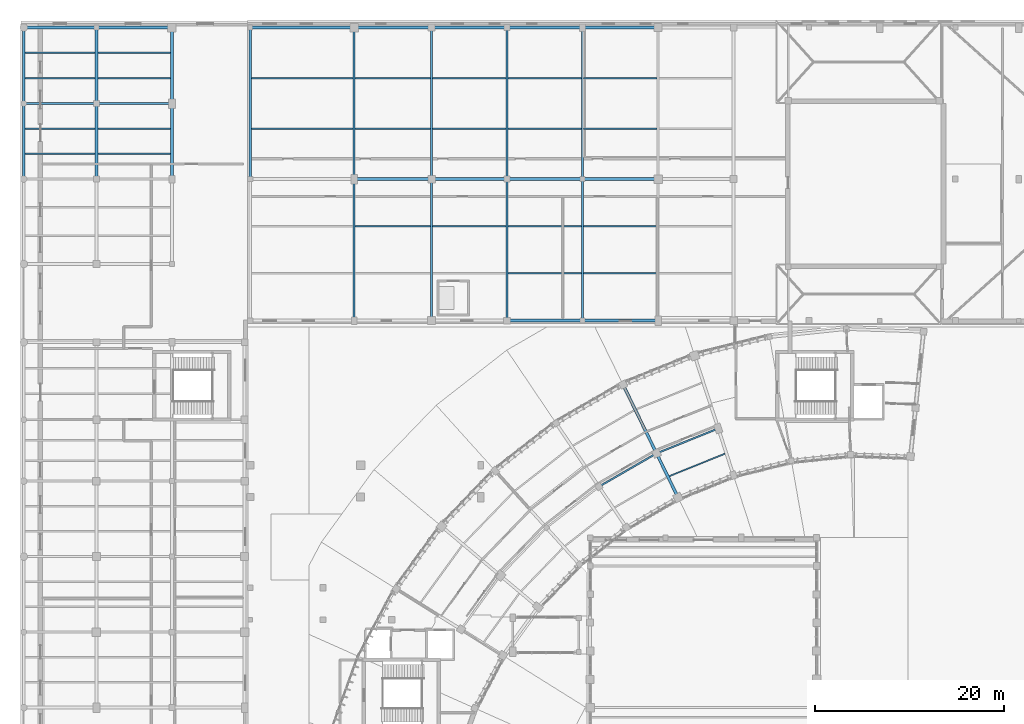
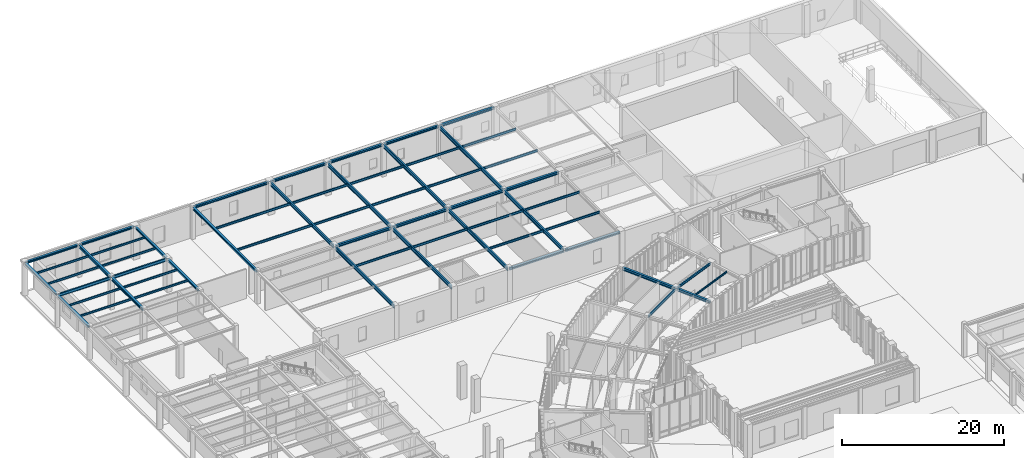
# One storey, part 16 of 68: 59 beams.
"""IFC4 building model written with IfcOpenShell, lengths in metres."""

from ifc_helpers import new_model, si_unit, direction, frame, origin, origin_2d, place, context, subcontext, project, spatial, i_section, extrude, material, material_profile, profile_set, type_object, element, save


model = new_model("IFC4")

# Units and contexts
model_context = context("Model", 3, precision=1e-05, world=origin(), true_north=direction((0.0, 1.0)))
body_context = subcontext(model_context, "Body", "Model", "MODEL_VIEW")
ifc_project = project(units=[si_unit("LENGTHUNIT", "METRE"), si_unit("AREAUNIT", "SQUARE_METRE"), si_unit("VOLUMEUNIT", "CUBIC_METRE"), si_unit("PLANEANGLEUNIT", "RADIAN"), si_unit("MASSUNIT", "GRAM", prefix="KILO"), si_unit("THERMODYNAMICTEMPERATUREUNIT", "KELVIN"), si_unit("POWERUNIT", "WATT")], contexts=[model_context])

# Site, building, storey
site_placement = place(None, origin())
site = spatial("IfcSite", under=ifc_project, at=site_placement, CompositionType="ELEMENT")
building_placement = place(site_placement, origin())
building = spatial("IfcBuilding", under=site, at=building_placement, Name="Solvatero Civic Police Headquarters", CompositionType="ELEMENT")
storey_placement = place(building_placement, origin())
storey = spatial("IfcBuildingStorey", under=building, at=storey_placement, Name="L00", CompositionType="ELEMENT", Elevation=0.0)

# Beams
ifc_material = material(Name="Steel S355", Category="steel")
ifc_material_profile_1 = material_profile(ifc_material, i_section(OverallWidth=0.300048828125, OverallDepth=0.31005859375, WebThickness=0.009033203125, FlangeThickness=0.015380859375, FilletRadius=0.027099609375, at=origin_2d()), Name="HEA 320")
ifc_profile_set_1 = profile_set([ifc_material_profile_1], Name="Steel S355")
beam_type_1 = type_object("IfcBeamType", Name="BM-ST-HEA320", PredefinedType="SPANDREL", material=ifc_profile_set_1)
beam_1_placement = place(storey_placement, frame((4.89990234375, 116.550048828125, 4.72509765625), z_axis=(1.0, 0.0, 0.0), x_axis=(0.0, 1.0, 0.0)))
element("IfcBeam", 1, at=beam_1_placement, inside=storey, type_object=beam_type_1, Name="Perimeter / radial spandrel beam BM-R2-L00-V7NW-GX-1-4", PredefinedType="SPANDREL", context=body_context, shape_type="SweptSolid", body=[
    extrude(i_section(OverallWidth=0.300048828125, OverallDepth=0.31005859375, WebThickness=0.009033203125, FlangeThickness=0.015380859375, FilletRadius=0.027099609375, at=origin_2d()), origin(), (0.0, 0.0, 1.0), 7.5),
])
beam_2_placement = place(storey_placement, frame((12.60009765625, 116.550048828125, 4.72509765625), z_axis=(1.0, 0.0, 0.0), x_axis=(0.0, 1.0, 0.0)))
element("IfcBeam", 2, at=beam_2_placement, inside=storey, type_object=beam_type_1, Name="Perimeter / radial spandrel beam BM-R2-L00-V7NW-GX-2-4", PredefinedType="SPANDREL", context=body_context, shape_type="SweptSolid", body=[
    extrude(i_section(OverallWidth=0.300048828125, OverallDepth=0.31005859375, WebThickness=0.009033203125, FlangeThickness=0.015380859375, FilletRadius=0.027099609375, at=origin_2d()), origin(), (0.0, 0.0, 1.0), 7.7998046875),
])
beam_3_placement = place(storey_placement, frame((4.800048828125, 100.659912109375, 4.72509765625), z_axis=(0.0, 1.0, 0.0), x_axis=(-1.0, 0.0, 0.0)))
element("IfcBeam", 3, at=beam_3_placement, inside=storey, type_object=beam_type_1, Name="Perimeter / radial spandrel beam BM-R2-L00-V7NW-GY-1-2", PredefinedType="SPANDREL", context=body_context, shape_type="SweptSolid", body=[
    extrude(i_section(OverallWidth=0.300048828125, OverallDepth=0.31005859375, WebThickness=0.009033203125, FlangeThickness=0.015380859375, FilletRadius=0.027099609375, at=origin_2d()), origin(), (0.0, 0.0, 1.0), 7.68017578125),
])
beam_4_placement = place(storey_placement, frame((4.800048828125, 108.659912109375, 4.72509765625), z_axis=(0.0, 1.0, 0.0), x_axis=(-1.0, 0.0, 0.0)))
element("IfcBeam", 4, at=beam_4_placement, inside=storey, type_object=beam_type_1, Name="Perimeter / radial spandrel beam BM-R2-L00-V7NW-GY-1-3", PredefinedType="SPANDREL", context=body_context, shape_type="SweptSolid", body=[
    extrude(i_section(OverallWidth=0.300048828125, OverallDepth=0.31005859375, WebThickness=0.009033203125, FlangeThickness=0.015380859375, FilletRadius=0.027099609375, at=origin_2d()), origin(), (0.0, 0.0, 1.0), 7.72998046875),
])
beam_5_placement = place(storey_placement, frame((20.5, 100.659912109375, 4.72509765625), z_axis=(0.0, 1.0, 0.0), x_axis=(-1.0, 0.0, 0.0)))
element("IfcBeam", 5, at=beam_5_placement, inside=storey, type_object=beam_type_1, Name="Perimeter / radial spandrel beam BM-R2-L00-V7NW-GY-3-2", PredefinedType="SPANDREL", context=body_context, shape_type="SweptSolid", body=[
    extrude(i_section(OverallWidth=0.300048828125, OverallDepth=0.31005859375, WebThickness=0.009033203125, FlangeThickness=0.015380859375, FilletRadius=0.027099609375, at=origin_2d()), origin(), (0.0, 0.0, 1.0), 7.68017578125),
])
beam_6_placement = place(storey_placement, frame((20.5, 108.659912109375, 4.72509765625), z_axis=(0.0, 1.0, 0.0), x_axis=(-1.0, 0.0, 0.0)))
element("IfcBeam", 6, at=beam_6_placement, inside=storey, type_object=beam_type_1, Name="Perimeter / radial spandrel beam BM-R2-L00-V7NW-GY-3-3", PredefinedType="SPANDREL", context=body_context, shape_type="SweptSolid", body=[
    extrude(i_section(OverallWidth=0.300048828125, OverallDepth=0.31005859375, WebThickness=0.009033203125, FlangeThickness=0.015380859375, FilletRadius=0.027099609375, at=origin_2d()), origin(), (0.0, 0.0, 1.0), 7.72998046875),
])
ifc_material_profile_2 = material_profile(ifc_material, i_section(OverallWidth=0.300048828125, OverallDepth=0.35009765625, WebThickness=0.010009765625, FlangeThickness=0.017578125, FilletRadius=0.027099609375, at=origin_2d()), Name="HEA 360")
ifc_profile_set_2 = profile_set([ifc_material_profile_2], Name="Steel S355")
beam_type_2 = type_object("IfcBeamType", Name="BM-ST-HEA360", PredefinedType="SPANDREL", material=ifc_profile_set_2)
for number, where, z_axis, x_axis, name in (
    (7, (56.10009765625, 85.5, 4.68505859375), (1.0, 0.0, 0.0), (0.0, 1.0, 0.0), "Perimeter / radial spandrel beam BM-R2-L00-V7-GX-4-1"),
    (8, (64.10009765625, 85.5, 4.68505859375), (1.0, 0.0, 0.0), (0.0, 1.0, 0.0), "Perimeter / radial spandrel beam BM-R2-L00-V7-GX-5-1"),
):
    element("IfcBeam", number, at=place(storey_placement, frame(where, z_axis=z_axis, x_axis=x_axis)), inside=storey, type_object=beam_type_2, Name=name, PredefinedType="SPANDREL", context=body_context, shape_type="SweptSolid", body=[
        extrude(i_section(OverallWidth=0.300048828125, OverallDepth=0.35009765625, WebThickness=0.010009765625, FlangeThickness=0.017578125, FilletRadius=0.027099609375, at=origin_2d()), origin(), (0.0, 0.0, 1.0), 7.7998046875),
    ])
beam_7_placement = place(storey_placement, frame((28.89990234375, 116.550048828125, 4.68505859375), z_axis=(1.0, 0.0, 0.0), x_axis=(0.0, 1.0, 0.0)))
element("IfcBeam", 9, at=beam_7_placement, inside=storey, type_object=beam_type_2, Name="Perimeter / radial spandrel beam BM-R2-L00-V7-GX-1-3", PredefinedType="SPANDREL", context=body_context, shape_type="SweptSolid", body=[
    extrude(i_section(OverallWidth=0.300048828125, OverallDepth=0.35009765625, WebThickness=0.010009765625, FlangeThickness=0.017578125, FilletRadius=0.027099609375, at=origin_2d()), origin(), (0.0, 0.0, 1.0), 10.800048828125),
])
beam_8_placement = place(storey_placement, frame((39.89990234375, 116.550048828125, 4.68505859375), z_axis=(1.0, 0.0, 0.0), x_axis=(0.0, 1.0, 0.0)))
element("IfcBeam", 10, at=beam_8_placement, inside=storey, type_object=beam_type_2, Name="Perimeter / radial spandrel beam BM-R2-L00-V7-GX-2-3", PredefinedType="SPANDREL", context=body_context, shape_type="SweptSolid", body=[
    extrude(i_section(OverallWidth=0.300048828125, OverallDepth=0.35009765625, WebThickness=0.010009765625, FlangeThickness=0.017578125, FilletRadius=0.027099609375, at=origin_2d()), origin(), (0.0, 0.0, 1.0), 8.0),
])
for number, where, z_axis, x_axis, name in (
    (11, (48.10009765625, 116.550048828125, 4.68505859375), (1.0, 0.0, 0.0), (0.0, 1.0, 0.0), "Perimeter / radial spandrel beam BM-R2-L00-V7-GX-3-3"),
    (12, (56.10009765625, 116.550048828125, 4.68505859375), (1.0, 0.0, 0.0), (0.0, 1.0, 0.0), "Perimeter / radial spandrel beam BM-R2-L00-V7-GX-4-3"),
    (13, (64.10009765625, 116.550048828125, 4.68505859375), (1.0, 0.0, 0.0), (0.0, 1.0, 0.0), "Perimeter / radial spandrel beam BM-R2-L00-V7-GX-5-3"),
):
    element("IfcBeam", number, at=place(storey_placement, frame(where, z_axis=z_axis, x_axis=x_axis)), inside=storey, type_object=beam_type_2, Name=name, PredefinedType="SPANDREL", context=body_context, shape_type="SweptSolid", body=[
        extrude(i_section(OverallWidth=0.300048828125, OverallDepth=0.35009765625, WebThickness=0.010009765625, FlangeThickness=0.017578125, FilletRadius=0.027099609375, at=origin_2d()), origin(), (0.0, 0.0, 1.0), 7.7998046875),
    ])
beam_9_placement = place(storey_placement, frame((28.800048828125, 100.659912109375, 4.68505859375), z_axis=(0.0, 1.0, 0.0), x_axis=(-1.0, 0.0, 0.0)))
element("IfcBeam", 14, at=beam_9_placement, inside=storey, type_object=beam_type_2, Name="Perimeter / radial spandrel beam BM-R2-L00-V7-GY-1-2", PredefinedType="SPANDREL", context=body_context, shape_type="SweptSolid", body=[
    extrude(i_section(OverallWidth=0.300048828125, OverallDepth=0.35009765625, WebThickness=0.010009765625, FlangeThickness=0.017578125, FilletRadius=0.027099609375, at=origin_2d()), origin(), (0.0, 0.0, 1.0), 15.72998046875),
])
ifc_material_profile_3 = material_profile(ifc_material, i_section(OverallWidth=0.300048828125, OverallDepth=0.389892578125, WebThickness=0.010986328125, FlangeThickness=0.01904296875, FilletRadius=0.027099609375, at=origin_2d()), Name="HEA 400")
ifc_profile_set_3 = profile_set([ifc_material_profile_3], Name="Steel S355")
beam_type_3 = type_object("IfcBeamType", Name="BM-ST-HEA400", PredefinedType="BEAM", material=ifc_profile_set_3)
beam_10_placement = place(storey_placement, frame((74.076171875, 66.85009765625, 4.68505859375), z_axis=(-0.438422670017, 0.898768914914, 0.0), x_axis=(-0.898768914914, -0.438422670017, 0.0)))
element("IfcBeam", 15, at=beam_10_placement, inside=storey, type_object=beam_type_3, Name="Primary girder BM-R2-L00-ARC-RAD1-S04", PredefinedType="BEAM", context=body_context, shape_type="SweptSolid", body=[
    extrude(i_section(OverallWidth=0.300048828125, OverallDepth=0.389892578125, WebThickness=0.010986328125, FlangeThickness=0.01904296875, FilletRadius=0.027099609375, at=origin_2d()), origin(), (0.0, 0.0, 1.0), 5.0),
])
ifc_material_profile_4 = material_profile(ifc_material, i_section(OverallWidth=0.300048828125, OverallDepth=0.43994140625, WebThickness=0.011474609375, FlangeThickness=0.02099609375, FilletRadius=0.027099609375, at=origin_2d()), Name="HEA 450")
ifc_profile_set_4 = profile_set([ifc_material_profile_4], Name="Steel S355")
beam_type_4 = type_object("IfcBeamType", Name="BM-ST-HEA450", PredefinedType="BEAM", material=ifc_profile_set_4)
beam_11_placement = place(storey_placement, frame((12.5, 100.659912109375, 4.659912109375), z_axis=(0.0, 1.0, 0.0), x_axis=(-1.0, 0.0, 0.0)))
element("IfcBeam", 16, at=beam_11_placement, inside=storey, type_object=beam_type_4, Name="Primary girder BM-R2-L00-V7NW-GY-2-2", PredefinedType="BEAM", context=body_context, shape_type="SweptSolid", body=[
    extrude(i_section(OverallWidth=0.300048828125, OverallDepth=0.43994140625, WebThickness=0.011474609375, FlangeThickness=0.02099609375, FilletRadius=0.027099609375, at=origin_2d()), origin(), (0.0, 0.0, 1.0), 7.68017578125),
])
beam_12_placement = place(storey_placement, frame((12.5, 108.659912109375, 4.659912109375), z_axis=(0.0, 1.0, 0.0), x_axis=(-1.0, 0.0, 0.0)))
element("IfcBeam", 17, at=beam_12_placement, inside=storey, type_object=beam_type_4, Name="Primary girder BM-R2-L00-V7NW-GY-2-3", PredefinedType="BEAM", context=body_context, shape_type="SweptSolid", body=[
    extrude(i_section(OverallWidth=0.300048828125, OverallDepth=0.43994140625, WebThickness=0.011474609375, FlangeThickness=0.02099609375, FilletRadius=0.027099609375, at=origin_2d()), origin(), (0.0, 0.0, 1.0), 7.72998046875),
])
beam_13_placement = place(storey_placement, frame((71.79638671875, 71.52392578125, 4.659912109375), z_axis=(-0.438365789194, 0.898796659353, 0.0), x_axis=(-0.898796659353, -0.438365789194, 0.0)))
element("IfcBeam", 18, at=beam_13_placement, inside=storey, type_object=beam_type_4, Name="Primary girder BM-R2-L00-ARC-RAD2-S04", PredefinedType="BEAM", context=body_context, shape_type="SweptSolid", body=[
    extrude(i_section(OverallWidth=0.300048828125, OverallDepth=0.43994140625, WebThickness=0.011474609375, FlangeThickness=0.02099609375, FilletRadius=0.027099609375, at=origin_2d()), origin(), (0.0, 0.0, 1.0), 7.900146484375),
])
ifc_material_profile_5 = material_profile(ifc_material, i_section(OverallWidth=0.300048828125, OverallDepth=0.39990234375, WebThickness=0.013427734375, FlangeThickness=0.02392578125, FilletRadius=0.027099609375, at=origin_2d()), Name="HEB 400")
ifc_profile_set_5 = profile_set([ifc_material_profile_5], Name="Steel S355")
beam_type_5 = type_object("IfcBeamType", Name="BM-ST-HEB400", PredefinedType="BEAM", material=ifc_profile_set_5)
beam_14_placement = place(storey_placement, frame((39.89990234375, 100.5, 4.659912109375), z_axis=(1.0, 0.0, 0.0), x_axis=(0.0, 1.0, 0.0)))
element("IfcBeam", 19, at=beam_14_placement, inside=storey, type_object=beam_type_5, Name="Primary girder BM-R2-L00-V7-GX-2-2", PredefinedType="BEAM", context=body_context, shape_type="SweptSolid", body=[
    extrude(i_section(OverallWidth=0.300048828125, OverallDepth=0.39990234375, WebThickness=0.013427734375, FlangeThickness=0.02392578125, FilletRadius=0.027099609375, at=origin_2d()), origin(), (0.0, 0.0, 1.0), 8.0),
])
for number, where, z_axis, x_axis, name in (
    (20, (48.10009765625, 100.5, 4.659912109375), (1.0, 0.0, 0.0), (0.0, 1.0, 0.0), "Primary girder BM-R2-L00-V7-GX-3-2"),
    (21, (56.10009765625, 100.5, 4.659912109375), (1.0, 0.0, 0.0), (0.0, 1.0, 0.0), "Primary girder BM-R2-L00-V7-GX-4-2"),
    (22, (64.10009765625, 100.5, 4.659912109375), (1.0, 0.0, 0.0), (0.0, 1.0, 0.0), "Primary girder BM-R2-L00-V7-GX-5-2"),
):
    element("IfcBeam", number, at=place(storey_placement, frame(where, z_axis=z_axis, x_axis=x_axis)), inside=storey, type_object=beam_type_5, Name=name, PredefinedType="BEAM", context=body_context, shape_type="SweptSolid", body=[
        extrude(i_section(OverallWidth=0.300048828125, OverallDepth=0.39990234375, WebThickness=0.013427734375, FlangeThickness=0.02392578125, FilletRadius=0.027099609375, at=origin_2d()), origin(), (0.0, 0.0, 1.0), 7.7998046875),
    ])
ifc_material_profile_6 = material_profile(ifc_material, i_section(OverallWidth=0.135009765625, OverallDepth=0.27001953125, WebThickness=0.006591796875, FlangeThickness=0.01025390625, FilletRadius=0.014892578125, at=origin_2d()), Name="IPE 270")
ifc_profile_set_6 = profile_set([ifc_material_profile_6], Name="Steel S355")
beam_type_6 = type_object("IfcBeamType", Name="BM-ST-IPE270", PredefinedType="BEAM", material=ifc_profile_set_6)
beam_15_placement = place(storey_placement, frame((79.08984375, 71.404296875, 4.7451171875), z_axis=(-0.927180902573, -0.374613899774, 0.0), x_axis=(0.374613899774, -0.927180902573, 0.0)))
element("IfcBeam", 23, at=beam_15_placement, inside=storey, type_object=beam_type_6, Name="Composite floor beam BM-R2-L00-ARC-CS1-B04", PredefinedType="BEAM", context=body_context, shape_type="SweptSolid", body=[
    extrude(i_section(OverallWidth=0.135009765625, OverallDepth=0.27001953125, WebThickness=0.006591796875, FlangeThickness=0.01025390625, FilletRadius=0.014892578125, at=origin_2d()), origin(), (0.0, 0.0, 1.0), 6.36865234375),
])
ifc_material_profile_7 = material_profile(ifc_material, i_section(OverallWidth=0.14990234375, OverallDepth=0.300048828125, WebThickness=0.007080078125, FlangeThickness=0.0107421875, FilletRadius=0.014892578125, at=origin_2d()), Name="IPE 300")
ifc_profile_set_7 = profile_set([ifc_material_profile_7], Name="Steel S355")
beam_type_7 = type_object("IfcBeamType", Name="BM-ST-IPE300", PredefinedType="BEAM", material=ifc_profile_set_7)
for number, where, z_axis, x_axis, name in (
    (24, (4.949951171875, 103.166748046875, 4.72998046875), (1.0, 0.0, 0.0), (0.0, 1.0, 0.0), "Composite floor beam BM-R2-L00-V7NW-SEC-1-2-S1"),
    (25, (4.949951171875, 105.833251953125, 4.72998046875), (1.0, 0.0, 0.0), (0.0, 1.0, 0.0), "Composite floor beam BM-R2-L00-V7NW-SEC-1-2-S2"),
    (26, (4.949951171875, 111.183349609375, 4.72998046875), (1.0, 0.0, 0.0), (0.0, 1.0, 0.0), "Composite floor beam BM-R2-L00-V7NW-SEC-1-3-S1"),
    (27, (4.949951171875, 113.86669921875, 4.72998046875), (1.0, 0.0, 0.0), (0.0, 1.0, 0.0), "Composite floor beam BM-R2-L00-V7NW-SEC-1-3-S2"),
):
    element("IfcBeam", number, at=place(storey_placement, frame(where, z_axis=z_axis, x_axis=x_axis)), inside=storey, type_object=beam_type_7, Name=name, PredefinedType="BEAM", context=body_context, shape_type="SweptSolid", body=[
        extrude(i_section(OverallWidth=0.14990234375, OverallDepth=0.300048828125, WebThickness=0.007080078125, FlangeThickness=0.0107421875, FilletRadius=0.014892578125, at=origin_2d()), origin(), (0.0, 0.0, 1.0), 7.400146484375),
    ])
for number, where, z_axis, x_axis, name in (
    (28, (12.64990234375, 103.166748046875, 4.72998046875), (1.0, 0.0, 0.0), (0.0, 1.0, 0.0), "Composite floor beam BM-R2-L00-V7NW-SEC-2-2-S1"),
    (29, (12.64990234375, 105.833251953125, 4.72998046875), (1.0, 0.0, 0.0), (0.0, 1.0, 0.0), "Composite floor beam BM-R2-L00-V7NW-SEC-2-2-S2"),
    (30, (12.64990234375, 111.183349609375, 4.72998046875), (1.0, 0.0, 0.0), (0.0, 1.0, 0.0), "Composite floor beam BM-R2-L00-V7NW-SEC-2-3-S1"),
    (31, (12.64990234375, 113.86669921875, 4.72998046875), (1.0, 0.0, 0.0), (0.0, 1.0, 0.0), "Composite floor beam BM-R2-L00-V7NW-SEC-2-3-S2"),
):
    element("IfcBeam", number, at=place(storey_placement, frame(where, z_axis=z_axis, x_axis=x_axis)), inside=storey, type_object=beam_type_7, Name=name, PredefinedType="BEAM", context=body_context, shape_type="SweptSolid", body=[
        extrude(i_section(OverallWidth=0.14990234375, OverallDepth=0.300048828125, WebThickness=0.007080078125, FlangeThickness=0.0107421875, FilletRadius=0.014892578125, at=origin_2d()), origin(), (0.0, 0.0, 1.0), 7.7001953125),
    ])
ifc_material_profile_8 = material_profile(ifc_material, i_section(OverallWidth=0.159912109375, OverallDepth=0.330078125, WebThickness=0.007568359375, FlangeThickness=0.011474609375, FilletRadius=0.01806640625, at=origin_2d()), Name="IPE 330")
ifc_profile_set_8 = profile_set([ifc_material_profile_8], Name="Steel S355")
beam_type_8 = type_object("IfcBeamType", Name="BM-ST-IPE330", PredefinedType="BEAM", material=ifc_profile_set_8)
for number, where, z_axis, x_axis, name in (
    (32, (28.949951171875, 105.85009765625, 4.695068359375), (1.0, 0.0, 0.0), (0.0, 1.0, 0.0), "Composite floor beam BM-R2-L00-V7-SEC-1-2-S1"),
    (33, (28.949951171875, 111.199951171875, 4.695068359375), (1.0, 0.0, 0.0), (0.0, 1.0, 0.0), "Composite floor beam BM-R2-L00-V7-SEC-1-2-S2"),
):
    element("IfcBeam", number, at=place(storey_placement, frame(where, z_axis=z_axis, x_axis=x_axis)), inside=storey, type_object=beam_type_8, Name=name, PredefinedType="BEAM", context=body_context, shape_type="SweptSolid", body=[
        extrude(i_section(OverallWidth=0.159912109375, OverallDepth=0.330078125, WebThickness=0.007568359375, FlangeThickness=0.011474609375, FilletRadius=0.01806640625, at=origin_2d()), origin(), (0.0, 0.0, 1.0), 10.7451171875),
    ])
for number, where, z_axis, x_axis, name in (
    (34, (39.905029296875, 95.5, 4.695068359375), (1.0, 0.0, 0.0), (0.0, 1.0, 0.0), "Composite floor beam BM-R2-L00-V7-SEC-2-1-S2"),
    (35, (39.905029296875, 105.85009765625, 4.695068359375), (1.0, 0.0, 0.0), (0.0, 1.0, 0.0), "Composite floor beam BM-R2-L00-V7-SEC-2-2-S1"),
    (36, (39.905029296875, 111.199951171875, 4.695068359375), (1.0, 0.0, 0.0), (0.0, 1.0, 0.0), "Composite floor beam BM-R2-L00-V7-SEC-2-2-S2"),
):
    element("IfcBeam", number, at=place(storey_placement, frame(where, z_axis=z_axis, x_axis=x_axis)), inside=storey, type_object=beam_type_8, Name=name, PredefinedType="BEAM", context=body_context, shape_type="SweptSolid", body=[
        extrude(i_section(OverallWidth=0.159912109375, OverallDepth=0.330078125, WebThickness=0.007568359375, FlangeThickness=0.011474609375, FilletRadius=0.01806640625, at=origin_2d()), origin(), (0.0, 0.0, 1.0), 7.989990234375),
    ])
for number, where, z_axis, x_axis, name in (
    (37, (48.10498046875, 95.5, 4.695068359375), (1.0, 0.0, 0.0), (0.0, 1.0, 0.0), "Composite floor beam BM-R2-L00-V7-SEC-3-1-S2"),
    (38, (48.10498046875, 105.85009765625, 4.695068359375), (1.0, 0.0, 0.0), (0.0, 1.0, 0.0), "Composite floor beam BM-R2-L00-V7-SEC-3-2-S1"),
    (39, (48.10498046875, 111.199951171875, 4.695068359375), (1.0, 0.0, 0.0), (0.0, 1.0, 0.0), "Composite floor beam BM-R2-L00-V7-SEC-3-2-S2"),
    (40, (56.10498046875, 90.5, 4.695068359375), (1.0, 0.0, 0.0), (0.0, 1.0, 0.0), "Composite floor beam BM-R2-L00-V7-SEC-4-1-S1"),
    (41, (56.10498046875, 95.5, 4.695068359375), (1.0, 0.0, 0.0), (0.0, 1.0, 0.0), "Composite floor beam BM-R2-L00-V7-SEC-4-1-S2"),
    (42, (56.10498046875, 105.85009765625, 4.695068359375), (1.0, 0.0, 0.0), (0.0, 1.0, 0.0), "Composite floor beam BM-R2-L00-V7-SEC-4-2-S1"),
    (43, (56.10498046875, 111.199951171875, 4.695068359375), (1.0, 0.0, 0.0), (0.0, 1.0, 0.0), "Composite floor beam BM-R2-L00-V7-SEC-4-2-S2"),
    (44, (64.10498046875, 90.5, 4.695068359375), (1.0, 0.0, 0.0), (0.0, 1.0, 0.0), "Composite floor beam BM-R2-L00-V7-SEC-5-1-S1"),
    (45, (64.10498046875, 95.5, 4.695068359375), (1.0, 0.0, 0.0), (0.0, 1.0, 0.0), "Composite floor beam BM-R2-L00-V7-SEC-5-1-S2"),
    (46, (64.10498046875, 105.85009765625, 4.695068359375), (1.0, 0.0, 0.0), (0.0, 1.0, 0.0), "Composite floor beam BM-R2-L00-V7-SEC-5-2-S1"),
    (47, (64.10498046875, 111.199951171875, 4.695068359375), (1.0, 0.0, 0.0), (0.0, 1.0, 0.0), "Composite floor beam BM-R2-L00-V7-SEC-5-2-S2"),
):
    element("IfcBeam", number, at=place(storey_placement, frame(where, z_axis=z_axis, x_axis=x_axis)), inside=storey, type_object=beam_type_8, Name=name, PredefinedType="BEAM", context=body_context, shape_type="SweptSolid", body=[
        extrude(i_section(OverallWidth=0.159912109375, OverallDepth=0.330078125, WebThickness=0.007568359375, FlangeThickness=0.011474609375, FilletRadius=0.01806640625, at=origin_2d()), origin(), (0.0, 0.0, 1.0), 7.7900390625),
    ])
ifc_material_profile_9 = material_profile(ifc_material, i_section(OverallWidth=0.169921875, OverallDepth=0.360107421875, WebThickness=0.008056640625, FlangeThickness=0.0126953125, FilletRadius=0.01806640625, at=origin_2d()), Name="IPE 360")
ifc_profile_set_9 = profile_set([ifc_material_profile_9], Name="Steel S355")
beam_type_9 = type_object("IfcBeamType", Name="BM-ST-IPE360", PredefinedType="BEAM", material=ifc_profile_set_9)
beam_16_placement = place(storey_placement, frame((78.28662109375, 74.038330078125, 4.699951171875), z_axis=(-0.927188538339, -0.374595000465, 0.0), x_axis=(0.374595000465, -0.927188538339, 0.0)))
element("IfcBeam", 48, at=beam_16_placement, inside=storey, type_object=beam_type_9, Name="Composite floor beam BM-R2-L00-ARC-CMID-B04", PredefinedType="BEAM", context=body_context, shape_type="SweptSolid", body=[
    extrude(i_section(OverallWidth=0.169921875, OverallDepth=0.360107421875, WebThickness=0.008056640625, FlangeThickness=0.0126953125, FilletRadius=0.01806640625, at=origin_2d()), origin(), (0.0, 0.0, 1.0), 6.8525390625),
])
beam_17_placement = place(storey_placement, frame((71.753662109375, 71.384033203125, 4.699951171875), z_axis=(-0.866020050267, -0.50000927245, 0.0), x_axis=(0.50000927245, -0.866020050267, 0.0)))
element("IfcBeam", 49, at=beam_17_placement, inside=storey, type_object=beam_type_9, Name="Composite floor beam BM-R2-L00-ARC-CMID-B05", PredefinedType="BEAM", context=body_context, shape_type="SweptSolid", body=[
    extrude(i_section(OverallWidth=0.169921875, OverallDepth=0.360107421875, WebThickness=0.008056640625, FlangeThickness=0.0126953125, FilletRadius=0.01806640625, at=origin_2d()), origin(), (0.0, 0.0, 1.0), 6.852294921875),
])
ifc_material_profile_10 = material_profile(ifc_material, i_section(OverallWidth=0.18994140625, OverallDepth=0.449951171875, WebThickness=0.009521484375, FlangeThickness=0.0146484375, FilletRadius=0.02099609375, at=origin_2d()), Name="IPE 450")
ifc_profile_set_10 = profile_set([ifc_material_profile_10], Name="Steel S355")
beam_type_10 = type_object("IfcBeamType", Name="BM-ST-IPE450", PredefinedType="BEAM", material=ifc_profile_set_10)
beam_18_placement = place(storey_placement, frame((4.89990234375, 108.5, 4.655029296875), z_axis=(1.0, 0.0, 0.0), x_axis=(0.0, 1.0, 0.0)))
element("IfcBeam", 50, at=beam_18_placement, inside=storey, type_object=beam_type_10, Name="Primary girder BM-R2-L00-V7NW-GX-1-3", PredefinedType="BEAM", context=body_context, shape_type="SweptSolid", body=[
    extrude(i_section(OverallWidth=0.18994140625, OverallDepth=0.449951171875, WebThickness=0.009521484375, FlangeThickness=0.0146484375, FilletRadius=0.02099609375, at=origin_2d()), origin(), (0.0, 0.0, 1.0), 7.5),
])
beam_19_placement = place(storey_placement, frame((12.60009765625, 108.5, 4.655029296875), z_axis=(1.0, 0.0, 0.0), x_axis=(0.0, 1.0, 0.0)))
element("IfcBeam", 51, at=beam_19_placement, inside=storey, type_object=beam_type_10, Name="Primary girder BM-R2-L00-V7NW-GX-2-3", PredefinedType="BEAM", context=body_context, shape_type="SweptSolid", body=[
    extrude(i_section(OverallWidth=0.18994140625, OverallDepth=0.449951171875, WebThickness=0.009521484375, FlangeThickness=0.0146484375, FilletRadius=0.02099609375, at=origin_2d()), origin(), (0.0, 0.0, 1.0), 7.7998046875),
])
ifc_material_profile_11 = material_profile(ifc_material, i_section(OverallWidth=0.2099609375, OverallDepth=0.550048828125, WebThickness=0.010986328125, FlangeThickness=0.01708984375, FilletRadius=0.02392578125, at=origin_2d()), Name="IPE 550")
ifc_profile_set_11 = profile_set([ifc_material_profile_11], Name="Steel S355")
beam_type_11 = type_object("IfcBeamType", Name="BM-ST-IPE550", PredefinedType="BEAM", material=ifc_profile_set_11)
beam_20_placement = place(storey_placement, frame((39.800048828125, 85.659912109375, 4.5849609375), z_axis=(0.0, 1.0, 0.0), x_axis=(-1.0, 0.0, 0.0)))
element("IfcBeam", 52, at=beam_20_placement, inside=storey, type_object=beam_type_11, Name="Primary girder BM-R2-L00-V7-GY-2-1", PredefinedType="BEAM", context=body_context, shape_type="SweptSolid", body=[
    extrude(i_section(OverallWidth=0.2099609375, OverallDepth=0.550048828125, WebThickness=0.010986328125, FlangeThickness=0.01708984375, FilletRadius=0.02392578125, at=origin_2d()), origin(), (0.0, 0.0, 1.0), 14.68017578125),
])
beam_21_placement = place(storey_placement, frame((39.800048828125, 100.659912109375, 4.5849609375), z_axis=(0.0, 1.0, 0.0), x_axis=(-1.0, 0.0, 0.0)))
element("IfcBeam", 53, at=beam_21_placement, inside=storey, type_object=beam_type_11, Name="Primary girder BM-R2-L00-V7-GY-2-2", PredefinedType="BEAM", context=body_context, shape_type="SweptSolid", body=[
    extrude(i_section(OverallWidth=0.2099609375, OverallDepth=0.550048828125, WebThickness=0.010986328125, FlangeThickness=0.01708984375, FilletRadius=0.02392578125, at=origin_2d()), origin(), (0.0, 0.0, 1.0), 15.72998046875),
])
beam_22_placement = place(storey_placement, frame((48.0, 85.659912109375, 4.5849609375), z_axis=(0.0, 1.0, 0.0), x_axis=(-1.0, 0.0, 0.0)))
element("IfcBeam", 54, at=beam_22_placement, inside=storey, type_object=beam_type_11, Name="Primary girder BM-R2-L00-V7-GY-3-1", PredefinedType="BEAM", context=body_context, shape_type="SweptSolid", body=[
    extrude(i_section(OverallWidth=0.2099609375, OverallDepth=0.550048828125, WebThickness=0.010986328125, FlangeThickness=0.01708984375, FilletRadius=0.02392578125, at=origin_2d()), origin(), (0.0, 0.0, 1.0), 14.68017578125),
])
beam_23_placement = place(storey_placement, frame((48.0, 100.659912109375, 4.5849609375), z_axis=(0.0, 1.0, 0.0), x_axis=(-1.0, 0.0, 0.0)))
element("IfcBeam", 55, at=beam_23_placement, inside=storey, type_object=beam_type_11, Name="Primary girder BM-R2-L00-V7-GY-3-2", PredefinedType="BEAM", context=body_context, shape_type="SweptSolid", body=[
    extrude(i_section(OverallWidth=0.2099609375, OverallDepth=0.550048828125, WebThickness=0.010986328125, FlangeThickness=0.01708984375, FilletRadius=0.02392578125, at=origin_2d()), origin(), (0.0, 0.0, 1.0), 15.72998046875),
])
beam_24_placement = place(storey_placement, frame((56.0, 85.659912109375, 4.5849609375), z_axis=(0.0, 1.0, 0.0), x_axis=(-1.0, 0.0, 0.0)))
element("IfcBeam", 56, at=beam_24_placement, inside=storey, type_object=beam_type_11, Name="Primary girder BM-R2-L00-V7-GY-4-1", PredefinedType="BEAM", context=body_context, shape_type="SweptSolid", body=[
    extrude(i_section(OverallWidth=0.2099609375, OverallDepth=0.550048828125, WebThickness=0.010986328125, FlangeThickness=0.01708984375, FilletRadius=0.02392578125, at=origin_2d()), origin(), (0.0, 0.0, 1.0), 14.68017578125),
])
beam_25_placement = place(storey_placement, frame((56.0, 100.659912109375, 4.5849609375), z_axis=(0.0, 1.0, 0.0), x_axis=(-1.0, 0.0, 0.0)))
element("IfcBeam", 57, at=beam_25_placement, inside=storey, type_object=beam_type_11, Name="Primary girder BM-R2-L00-V7-GY-4-2", PredefinedType="BEAM", context=body_context, shape_type="SweptSolid", body=[
    extrude(i_section(OverallWidth=0.2099609375, OverallDepth=0.550048828125, WebThickness=0.010986328125, FlangeThickness=0.01708984375, FilletRadius=0.02392578125, at=origin_2d()), origin(), (0.0, 0.0, 1.0), 15.72998046875),
])
beam_26_placement = place(storey_placement, frame((64.0, 85.659912109375, 4.5849609375), z_axis=(0.0, 1.0, 0.0), x_axis=(-1.0, 0.0, 0.0)))
element("IfcBeam", 58, at=beam_26_placement, inside=storey, type_object=beam_type_11, Name="Primary girder BM-R2-L00-V7-GY-5-1", PredefinedType="BEAM", context=body_context, shape_type="SweptSolid", body=[
    extrude(i_section(OverallWidth=0.2099609375, OverallDepth=0.550048828125, WebThickness=0.010986328125, FlangeThickness=0.01708984375, FilletRadius=0.02392578125, at=origin_2d()), origin(), (0.0, 0.0, 1.0), 14.68017578125),
])
beam_27_placement = place(storey_placement, frame((64.0, 100.659912109375, 4.5849609375), z_axis=(0.0, 1.0, 0.0), x_axis=(-1.0, 0.0, 0.0)))
element("IfcBeam", 59, at=beam_27_placement, inside=storey, type_object=beam_type_11, Name="Primary girder BM-R2-L00-V7-GY-5-2", PredefinedType="BEAM", context=body_context, shape_type="SweptSolid", body=[
    extrude(i_section(OverallWidth=0.2099609375, OverallDepth=0.550048828125, WebThickness=0.010986328125, FlangeThickness=0.01708984375, FilletRadius=0.02392578125, at=origin_2d()), origin(), (0.0, 0.0, 1.0), 15.72998046875),
])

save(model, "model.ifc")
